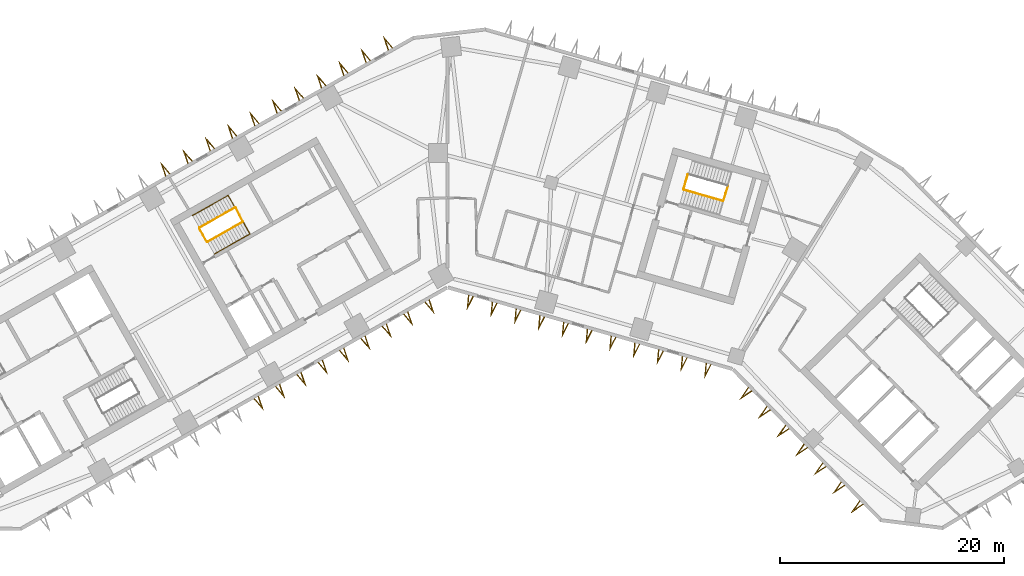
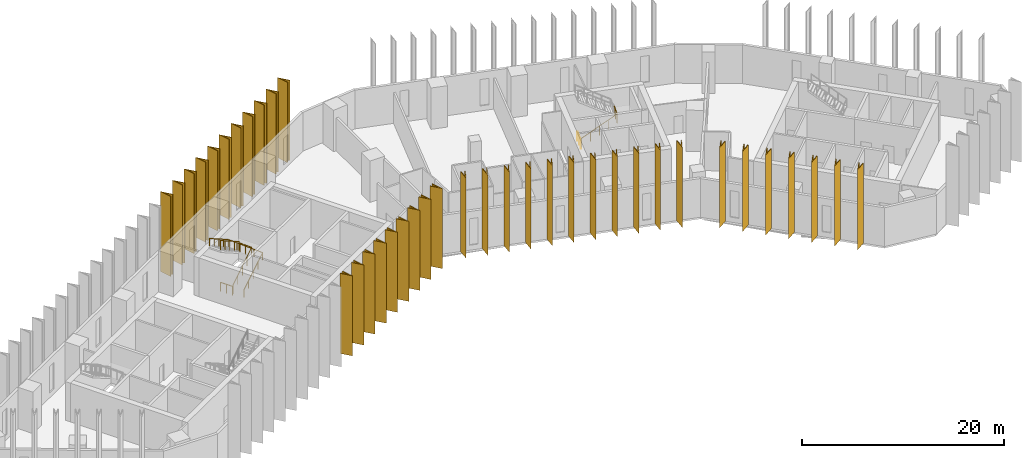
# One storey, part 10 of 11: 38 shading devices, 6 railings.
"""IFC4 building model written with IfcOpenShell, lengths in metres."""

from ifc_helpers import new_model, si_unit, direction, frame, origin, origin_2d, place, context, subcontext, project, spatial, polyline, circle, outline, extrude, material, type_object, element, save


model = new_model("IFC4")

# Units and contexts
model_context = context("Model", 3, precision=1e-05, world=origin(), true_north=direction((0.0, 1.0)))
body_context = subcontext(model_context, "Body", "Model", "MODEL_VIEW")
ifc_project = project(units=[si_unit("LENGTHUNIT", "METRE"), si_unit("AREAUNIT", "SQUARE_METRE"), si_unit("VOLUMEUNIT", "CUBIC_METRE"), si_unit("PLANEANGLEUNIT", "RADIAN"), si_unit("MASSUNIT", "GRAM", prefix="KILO")], contexts=[model_context])

# Site, building, storey
site_placement = place(None, origin())
site = spatial("IfcSite", under=ifc_project, at=site_placement, CompositionType="ELEMENT")
building_placement = place(site_placement, origin())
building = spatial("IfcBuilding", under=site, at=building_placement, Name="Binnacle Exchange Tower", CompositionType="ELEMENT")
storey_placement = place(building_placement, frame((0.0, 0.0, 76.5)))
storey = spatial("IfcBuildingStorey", under=building, at=storey_placement, Name="L15", CompositionType="ELEMENT", Elevation=76.5)

# Railings
ifc_material_1 = material(Name="Steel guard rail", Category="steel")
railing_type_1 = type_object("IfcRailingType", Name="STAIR GUARD 1100", PredefinedType="GUARDRAIL", material=ifc_material_1)
railing_1_placement = place(storey_placement, frame((-21.423828125, 52.07275390625, 0.178466796875)))
element("IfcRailing", 1, at=railing_1_placement, inside=storey, type_object=railing_type_1, Name="L15 STC1 stair guard 1", PredefinedType="GUARDRAIL", context=body_context, shape_type="SweptSolid", body=[
    extrude(circle(Radius=0.02392578125, at=origin_2d()), frame((0.0, 0.0, 1.076171875), z_axis=(0.733838880464, 0.415127627455, 0.537726278364), x_axis=(-0.492371057291, 0.870385398511, 0.0)), (0.0, 0.0, 1.0), 4.3173828125),
    extrude(circle(Radius=0.02392578125, at=origin_2d()), frame((3.168212890625, 1.792236328125, 3.3974609375), z_axis=(-0.461100321709, 0.887348011391, 0.0), x_axis=(-0.887348011391, -0.461100321709, 0.0)), (0.0, 0.0, 1.0), 1.40087890625),
    extrude(circle(Radius=0.02099609375, at=origin_2d()), origin(), (0.0, 0.0, 1.0), 1.052001953125),
    extrude(circle(Radius=0.02099609375, at=origin_2d()), frame((0.7919921875, 0.447998046875, 0.580322265625)), (0.0, 0.0, 1.0), 1.052001953125),
    extrude(circle(Radius=0.02099609375, at=origin_2d()), frame((1.583984375, 0.89599609375, 1.16064453125)), (0.0, 0.0, 1.0), 1.052001953125),
    extrude(circle(Radius=0.02099609375, at=origin_2d()), frame((2.376220703125, 1.34423828125, 1.7412109375)), (0.0, 0.0, 1.0), 1.052001953125),
    extrude(circle(Radius=0.02099609375, at=origin_2d()), frame((3.168212890625, 1.792236328125, 2.321533203125)), (0.0, 0.0, 1.0), 1.052001953125),
    extrude(circle(Radius=0.02099609375, at=origin_2d()), frame((2.84521484375, 2.413818359375, 2.321533203125)), (0.0, 0.0, 1.0), 1.052001953125),
    extrude(circle(Radius=0.02099609375, at=origin_2d()), frame((2.522216796875, 3.035400390625, 2.321533203125)), (0.0, 0.0, 1.0), 1.052001953125),
])
railing_2_placement = place(storey_placement, frame((-18.9697265625, 55.126953125, 2.678466796875)))
element("IfcRailing", 2, at=railing_2_placement, inside=storey, type_object=railing_type_1, Name="L15 STC1 stair guard 2", PredefinedType="GUARDRAIL", context=body_context, shape_type="SweptSolid", body=[
    extrude(circle(Radius=0.02392578125, at=origin_2d()), frame((0.0, 0.0, 1.076171875), z_axis=(-0.733812782489, -0.415144854829, 0.537748593457), x_axis=(0.492399802317, -0.870369137021, 0.0)), (0.0, 0.0, 1.0), 4.317138671875),
    extrude(circle(Radius=0.02099609375, at=origin_2d()), origin(), (0.0, 0.0, 1.0), 1.052001953125),
    extrude(circle(Radius=0.02099609375, at=origin_2d()), frame((-0.7919921875, -0.447998046875, 0.580322265625)), (0.0, 0.0, 1.0), 1.052001953125),
    extrude(circle(Radius=0.02099609375, at=origin_2d()), frame((-1.583984375, -0.89599609375, 1.16064453125)), (0.0, 0.0, 1.0), 1.052001953125),
    extrude(circle(Radius=0.02099609375, at=origin_2d()), frame((-2.3759765625, -1.34423828125, 1.7412109375)), (0.0, 0.0, 1.0), 1.052001953125),
    extrude(circle(Radius=0.02099609375, at=origin_2d()), frame((-3.16796875, -1.792236328125, 2.321533203125)), (0.0, 0.0, 1.0), 1.052001953125),
])
railing_3_placement = place(storey_placement, frame((-21.491943359375, 52.091552734375, 0.0)))
element("IfcRailing", 3, at=railing_3_placement, inside=storey, type_object=railing_type_1, Name="L15 STC1 stair guard 3", PredefinedType="GUARDRAIL", context=body_context, shape_type="SweptSolid", body=[
    extrude(circle(Radius=0.02392578125, at=origin_2d()), frame((0.0, 0.0, 1.076171875), z_axis=(-0.49241474071, 0.870360685654, 0.0), x_axis=(-0.870360685654, -0.49241474071, 0.0)), (0.0, 0.0, 1.0), 1.35009765625),
    extrude(circle(Radius=0.02099609375, at=origin_2d()), origin(), (0.0, 0.0, 1.0), 1.052001953125),
    extrude(circle(Radius=0.02099609375, at=origin_2d()), frame((-0.33251953125, 0.58740234375, 0.0)), (0.0, 0.0, 1.0), 1.052001953125),
    extrude(circle(Radius=0.02099609375, at=origin_2d()), frame((-0.664794921875, 1.175048828125, 0.0)), (0.0, 0.0, 1.0), 1.052001953125),
])
railing_4_placement = place(storey_placement, frame((21.086669921875, 56.71044921875, 0.178466796875)))
element("IfcRailing", 4, at=railing_4_placement, inside=storey, type_object=railing_type_1, Name="L15 STD1 stair guard 1", PredefinedType="GUARDRAIL", context=body_context, shape_type="SweptSolid", body=[
    extrude(circle(Radius=0.02392578125, at=origin_2d()), frame((0.0, 0.0, 1.076171875), z_axis=(0.810455892038, -0.232415135102, 0.537721537635), x_axis=(0.275659984683, 0.961255206927, 0.0)), (0.0, 0.0, 1.0), 4.3173828125),
    extrude(circle(Radius=0.02392578125, at=origin_2d()), frame((3.4990234375, -1.00341796875, 3.3974609375), z_axis=(0.309684985722, 0.950839213337, 0.0), x_axis=(-0.950839213337, 0.309684985722, 0.0)), (0.0, 0.0, 1.0), 1.40087890625),
    extrude(circle(Radius=0.02099609375, at=origin_2d()), origin(), (0.0, 0.0, 1.0), 1.052001953125),
    extrude(circle(Radius=0.02099609375, at=origin_2d()), frame((0.874755859375, -0.2509765625, 0.580322265625)), (0.0, 0.0, 1.0), 1.052001953125),
    extrude(circle(Radius=0.02099609375, at=origin_2d()), frame((1.74951171875, -0.501708984375, 1.16064453125)), (0.0, 0.0, 1.0), 1.052001953125),
    extrude(circle(Radius=0.02099609375, at=origin_2d()), frame((2.624267578125, -0.75244140625, 1.7412109375)), (0.0, 0.0, 1.0), 1.052001953125),
    extrude(circle(Radius=0.02099609375, at=origin_2d()), frame((3.4990234375, -1.00341796875, 2.321533203125)), (0.0, 0.0, 1.0), 1.052001953125),
    extrude(circle(Radius=0.02099609375, at=origin_2d()), frame((3.7158203125, -0.33740234375, 2.321533203125)), (0.0, 0.0, 1.0), 1.052001953125),
    extrude(circle(Radius=0.02099609375, at=origin_2d()), frame((3.932861328125, 0.32861328125, 2.321533203125)), (0.0, 0.0, 1.0), 1.052001953125),
])
railing_5_placement = place(storey_placement, frame((21.05224609375, 56.772216796875, 0.0)))
element("IfcRailing", 5, at=railing_5_placement, inside=storey, type_object=railing_type_1, Name="L15 STD1 stair guard 3", PredefinedType="GUARDRAIL", context=body_context, shape_type="SweptSolid", body=[
    extrude(circle(Radius=0.02392578125, at=origin_2d()), frame((0.0, 0.0, 1.076171875), z_axis=(0.275795817769, 0.961216243569, 0.0), x_axis=(-0.961216243569, 0.275795817769, 0.0)), (0.0, 0.0, 1.0), 1.349853515625),
    extrude(circle(Radius=0.02099609375, at=origin_2d()), origin(), (0.0, 0.0, 1.0), 1.052001953125),
    extrude(circle(Radius=0.02099609375, at=origin_2d()), frame((0.18603515625, 0.64892578125, 0.0)), (0.0, 0.0, 1.0), 1.052001953125),
    extrude(circle(Radius=0.02099609375, at=origin_2d()), frame((0.372314453125, 1.297607421875, 0.0)), (0.0, 0.0, 1.0), 1.052001953125),
])
ifc_material_2 = material(Name="Steel handrail", Category="steel")
railing_type_2 = type_object("IfcRailingType", Name="STAIR HANDRAIL 900", PredefinedType="HANDRAIL", material=ifc_material_2)
railing_6_placement = place(storey_placement, frame((-20.808349609375, 50.984619140625, 0.178466796875)))
element("IfcRailing", 6, at=railing_6_placement, inside=storey, type_object=railing_type_2, Name="L15 STC1 stair handrail 1", PredefinedType="HANDRAIL", context=body_context, shape_type="SweptSolid", body=[
    extrude(circle(Radius=0.02392578125, at=origin_2d()), frame((0.0, 0.0, 0.8759765625), z_axis=(0.733821652932, 0.415174429824, 0.537713654753), x_axis=(-0.492421866095, 0.870356654361, 0.0)), (0.0, 0.0, 1.0), 4.3173828125),
    extrude(circle(Radius=0.02392578125, at=origin_2d()), frame((3.168212890625, 1.79248046875, 3.197265625), z_axis=(-0.491911810019, 0.86947434526, 0.045134621956), x_axis=(-0.870361318571, -0.492413622004, 0.0)), (0.0, 0.0, 1.0), 3.9541015625),
    extrude(circle(Radius=0.02392578125, at=origin_2d()), frame((1.22314453125, 5.23046875, 3.3759765625), z_axis=(-0.733821652932, -0.415174429824, 0.537713654753), x_axis=(0.492421866095, -0.870356654361, 0.0)), (0.0, 0.0, 1.0), 4.3173828125),
    extrude(circle(Radius=0.02099609375, at=origin_2d()), origin(), (0.0, 0.0, 1.0), 0.851806640625),
    extrude(circle(Radius=0.02099609375, at=origin_2d()), frame((0.7919921875, 0.4482421875, 0.580322265625)), (0.0, 0.0, 1.0), 0.851806640625),
    extrude(circle(Radius=0.02099609375, at=origin_2d()), frame((1.583984375, 0.896240234375, 1.16064453125)), (0.0, 0.0, 1.0), 0.851806640625),
    extrude(circle(Radius=0.02099609375, at=origin_2d()), frame((2.376220703125, 1.34423828125, 1.7412109375)), (0.0, 0.0, 1.0), 0.851806640625),
    extrude(circle(Radius=0.02099609375, at=origin_2d()), frame((3.168212890625, 1.79248046875, 2.321533203125)), (0.0, 0.0, 1.0), 0.851806640625),
    extrude(circle(Radius=0.02099609375, at=origin_2d()), frame((2.681884765625, 2.65185546875, 2.3662109375)), (0.0, 0.0, 1.0), 0.851806640625),
    extrude(circle(Radius=0.02099609375, at=origin_2d()), frame((2.19580078125, 3.511474609375, 2.41064453125)), (0.0, 0.0, 1.0), 0.851806640625),
    extrude(circle(Radius=0.02099609375, at=origin_2d()), frame((1.70947265625, 4.37109375, 2.455322265625)), (0.0, 0.0, 1.0), 0.851806640625),
    extrude(circle(Radius=0.02099609375, at=origin_2d()), frame((1.22314453125, 5.23046875, 2.5)), (0.0, 0.0, 1.0), 0.851806640625),
    extrude(circle(Radius=0.02099609375, at=origin_2d()), frame((0.43115234375, 4.7822265625, 3.080322265625)), (0.0, 0.0, 1.0), 0.851806640625),
    extrude(circle(Radius=0.02099609375, at=origin_2d()), frame((-0.36083984375, 4.334228515625, 3.66064453125)), (0.0, 0.0, 1.0), 0.851806640625),
    extrude(circle(Radius=0.02099609375, at=origin_2d()), frame((-1.153076171875, 3.88623046875, 4.2412109375)), (0.0, 0.0, 1.0), 0.851806640625),
    extrude(circle(Radius=0.02099609375, at=origin_2d()), frame((-1.945068359375, 3.43798828125, 4.821533203125)), (0.0, 0.0, 1.0), 0.851806640625),
])

# Shading devices
ifc_material_3 = material(Name="Bronze aluminium cladding", Category="aluminium")
shading_device_type = type_object("IfcShadingDeviceType", Name="V FIN 1300 DEEP x 9680 HIGH", PredefinedType="USERDEFINED", material=ifc_material_3)
shading_device_1_placement = place(storey_placement, origin())
element("IfcShadingDevice", 7, at=shading_device_1_placement, inside=storey, type_object=shading_device_type, Name="V fin FN-F03-01 L15", ObjectType="FIN", PredefinedType="USERDEFINED", context=body_context, shape_type="SweptSolid", body=[
    extrude(outline(polyline([(-4.88916015625, 69.40625), (-5.746826171875, 70.41455078125), (-5.32421875, 69.159912109375), (-5.25341796875, 69.2001953125), (-5.5380859375, 70.0458984375), (-4.9599609375, 69.3662109375), (-4.88916015625, 69.40625)])), origin(), (0.0, 0.0, 1.0), 9.679931640625),
])
shading_device_2_placement = place(storey_placement, origin())
element("IfcShadingDevice", 8, at=shading_device_2_placement, inside=storey, type_object=shading_device_type, Name="V fin FN-F03-02 L15", ObjectType="FIN", PredefinedType="USERDEFINED", context=body_context, shape_type="SweptSolid", body=[
    extrude(outline(polyline([(-6.87548828125, 68.2822265625), (-7.7333984375, 69.290771484375), (-7.310791015625, 68.0361328125), (-7.239990234375, 68.076171875), (-7.524658203125, 68.922119140625), (-6.946533203125, 68.2421875), (-6.87548828125, 68.2822265625)])), origin(), (0.0, 0.0, 1.0), 9.679931640625),
])
shading_device_3_placement = place(storey_placement, origin())
element("IfcShadingDevice", 9, at=shading_device_3_placement, inside=storey, type_object=shading_device_type, Name="V fin FN-F03-03 L15", ObjectType="FIN", PredefinedType="USERDEFINED", context=body_context, shape_type="SweptSolid", body=[
    extrude(outline(polyline([(-8.862060546875, 67.158203125), (-9.719970703125, 68.166748046875), (-9.29736328125, 66.912109375), (-9.226318359375, 66.9521484375), (-9.51123046875, 67.798095703125), (-8.93310546875, 67.1181640625), (-8.862060546875, 67.158203125)])), origin(), (0.0, 0.0, 1.0), 9.679931640625),
])
shading_device_4_placement = place(storey_placement, origin())
element("IfcShadingDevice", 10, at=shading_device_4_placement, inside=storey, type_object=shading_device_type, Name="V fin FN-F03-04 L15", ObjectType="FIN", PredefinedType="USERDEFINED", context=body_context, shape_type="SweptSolid", body=[
    extrude(outline(polyline([(-10.8486328125, 66.034423828125), (-11.70654296875, 67.042724609375), (-11.283935546875, 65.7880859375), (-11.212890625, 65.828369140625), (-11.497802734375, 66.674072265625), (-10.919677734375, 65.994384765625), (-10.8486328125, 66.034423828125)])), origin(), (0.0, 0.0, 1.0), 9.679931640625),
])
shading_device_5_placement = place(storey_placement, origin())
element("IfcShadingDevice", 11, at=shading_device_5_placement, inside=storey, type_object=shading_device_type, Name="V fin FN-F03-05 L15", ObjectType="FIN", PredefinedType="USERDEFINED", context=body_context, shape_type="SweptSolid", body=[
    extrude(outline(polyline([(-12.835205078125, 64.910400390625), (-13.693115234375, 65.9189453125), (-13.2705078125, 64.664306640625), (-13.199462890625, 64.704345703125), (-13.484375, 65.55029296875), (-12.906005859375, 64.870361328125), (-12.835205078125, 64.910400390625)])), origin(), (0.0, 0.0, 1.0), 9.679931640625),
])
shading_device_6_placement = place(storey_placement, origin())
element("IfcShadingDevice", 12, at=shading_device_6_placement, inside=storey, type_object=shading_device_type, Name="V fin FN-F03-06 L15", ObjectType="FIN", PredefinedType="USERDEFINED", context=body_context, shape_type="SweptSolid", body=[
    extrude(outline(polyline([(-14.82177734375, 63.78662109375), (-15.6796875, 64.794921875), (-15.257080078125, 63.540283203125), (-15.18603515625, 63.580322265625), (-15.470947265625, 64.42626953125), (-14.892578125, 63.746337890625), (-14.82177734375, 63.78662109375)])), origin(), (0.0, 0.0, 1.0), 9.679931640625),
])
shading_device_7_placement = place(storey_placement, origin())
element("IfcShadingDevice", 13, at=shading_device_7_placement, inside=storey, type_object=shading_device_type, Name="V fin FN-F03-07 L15", ObjectType="FIN", PredefinedType="USERDEFINED", context=body_context, shape_type="SweptSolid", body=[
    extrude(outline(polyline([(-16.808349609375, 62.66259765625), (-17.666015625, 63.6708984375), (-17.243408203125, 62.41650390625), (-17.172607421875, 62.45654296875), (-17.45751953125, 63.30224609375), (-16.879150390625, 62.62255859375), (-16.808349609375, 62.66259765625)])), origin(), (0.0, 0.0, 1.0), 9.679931640625),
])
shading_device_8_placement = place(storey_placement, origin())
element("IfcShadingDevice", 14, at=shading_device_8_placement, inside=storey, type_object=shading_device_type, Name="V fin FN-F03-08 L15", ObjectType="FIN", PredefinedType="USERDEFINED", context=body_context, shape_type="SweptSolid", body=[
    extrude(outline(polyline([(-18.794921875, 61.53857421875), (-19.652587890625, 62.547119140625), (-19.22998046875, 61.29248046875), (-19.1591796875, 61.33251953125), (-19.444091796875, 62.17822265625), (-18.86572265625, 61.49853515625), (-18.794921875, 61.53857421875)])), origin(), (0.0, 0.0, 1.0), 9.679931640625),
])
shading_device_9_placement = place(storey_placement, origin())
element("IfcShadingDevice", 15, at=shading_device_9_placement, inside=storey, type_object=shading_device_type, Name="V fin FN-F03-09 L15", ObjectType="FIN", PredefinedType="USERDEFINED", context=body_context, shape_type="SweptSolid", body=[
    extrude(outline(polyline([(-20.781494140625, 60.414794921875), (-21.639404296875, 61.423095703125), (-21.216796875, 60.16845703125), (-21.145751953125, 60.20849609375), (-21.4306640625, 61.054443359375), (-20.852294921875, 60.37451171875), (-20.781494140625, 60.414794921875)])), origin(), (0.0, 0.0, 1.0), 9.679931640625),
])
shading_device_10_placement = place(storey_placement, origin())
element("IfcShadingDevice", 16, at=shading_device_10_placement, inside=storey, type_object=shading_device_type, Name="V fin FN-F03-10 L15", ObjectType="FIN", PredefinedType="USERDEFINED", context=body_context, shape_type="SweptSolid", body=[
    extrude(outline(polyline([(-22.76806640625, 59.290771484375), (-23.625732421875, 60.29931640625), (-23.203125, 59.044677734375), (-23.13232421875, 59.084716796875), (-23.4169921875, 59.930419921875), (-22.8388671875, 59.250732421875), (-22.76806640625, 59.290771484375)])), origin(), (0.0, 0.0, 1.0), 9.679931640625),
])
shading_device_11_placement = place(storey_placement, origin())
element("IfcShadingDevice", 17, at=shading_device_11_placement, inside=storey, type_object=shading_device_type, Name="V fin FN-F03-11 L15", ObjectType="FIN", PredefinedType="USERDEFINED", context=body_context, shape_type="SweptSolid", body=[
    extrude(outline(polyline([(-24.754638671875, 58.166748046875), (-25.6123046875, 59.17529296875), (-25.189697265625, 57.920654296875), (-25.118896484375, 57.960693359375), (-25.40380859375, 58.806396484375), (-24.825439453125, 58.126708984375), (-24.754638671875, 58.166748046875)])), origin(), (0.0, 0.0, 1.0), 9.679931640625),
])
shading_device_12_placement = place(storey_placement, origin())
element("IfcShadingDevice", 18, at=shading_device_12_placement, inside=storey, type_object=shading_device_type, Name="V fin FN-F07-11 L15", ObjectType="FIN", PredefinedType="USERDEFINED", context=body_context, shape_type="SweptSolid", body=[
    extrude(outline(polyline([(-17.28759765625, 38.046875), (-16.429931640625, 37.038330078125), (-16.8525390625, 38.29296875), (-16.92333984375, 38.2529296875), (-16.638671875, 37.406982421875), (-17.216796875, 38.0869140625), (-17.28759765625, 38.046875)])), origin(), (0.0, 0.0, 1.0), 9.679931640625),
])
shading_device_13_placement = place(storey_placement, origin())
element("IfcShadingDevice", 19, at=shading_device_13_placement, inside=storey, type_object=shading_device_type, Name="V fin FN-F07-12 L15", ObjectType="FIN", PredefinedType="USERDEFINED", context=body_context, shape_type="SweptSolid", body=[
    extrude(outline(polyline([(-15.3828125, 39.12451171875), (-14.525146484375, 38.1162109375), (-14.94775390625, 39.37060546875), (-15.0185546875, 39.33056640625), (-14.73388671875, 38.48486328125), (-15.31201171875, 39.16455078125), (-15.3828125, 39.12451171875)])), origin(), (0.0, 0.0, 1.0), 9.679931640625),
])
shading_device_14_placement = place(storey_placement, origin())
element("IfcShadingDevice", 20, at=shading_device_14_placement, inside=storey, type_object=shading_device_type, Name="V fin FN-F07-13 L15", ObjectType="FIN", PredefinedType="USERDEFINED", context=body_context, shape_type="SweptSolid", body=[
    extrude(outline(polyline([(-13.477783203125, 40.2021484375), (-12.6201171875, 39.19384765625), (-13.042724609375, 40.448486328125), (-13.113525390625, 40.408203125), (-12.828857421875, 39.5625), (-13.406982421875, 40.2421875), (-13.477783203125, 40.2021484375)])), origin(), (0.0, 0.0, 1.0), 9.679931640625),
])
shading_device_15_placement = place(storey_placement, origin())
element("IfcShadingDevice", 21, at=shading_device_15_placement, inside=storey, type_object=shading_device_type, Name="V fin FN-F07-14 L15", ObjectType="FIN", PredefinedType="USERDEFINED", context=body_context, shape_type="SweptSolid", body=[
    extrude(outline(polyline([(-11.572998046875, 41.280029296875), (-10.715087890625, 40.271484375), (-11.1376953125, 41.526123046875), (-11.208740234375, 41.486083984375), (-10.923828125, 40.640380859375), (-11.502197265625, 41.320068359375), (-11.572998046875, 41.280029296875)])), origin(), (0.0, 0.0, 1.0), 9.679931640625),
])
shading_device_16_placement = place(storey_placement, origin())
element("IfcShadingDevice", 22, at=shading_device_16_placement, inside=storey, type_object=shading_device_type, Name="V fin FN-F07-15 L15", ObjectType="FIN", PredefinedType="USERDEFINED", context=body_context, shape_type="SweptSolid", body=[
    extrude(outline(polyline([(-9.668212890625, 42.357666015625), (-8.810302734375, 41.349365234375), (-9.23291015625, 42.60400390625), (-9.303955078125, 42.563720703125), (-9.01904296875, 41.718017578125), (-9.597412109375, 42.397705078125), (-9.668212890625, 42.357666015625)])), origin(), (0.0, 0.0, 1.0), 9.679931640625),
])
shading_device_17_placement = place(storey_placement, origin())
element("IfcShadingDevice", 23, at=shading_device_17_placement, inside=storey, type_object=shading_device_type, Name="V fin FN-F07-16 L15", ObjectType="FIN", PredefinedType="USERDEFINED", context=body_context, shape_type="SweptSolid", body=[
    extrude(outline(polyline([(-7.76318359375, 43.435302734375), (-6.905517578125, 42.427001953125), (-7.327880859375, 43.681640625), (-7.39892578125, 43.6416015625), (-7.114013671875, 42.795654296875), (-7.6923828125, 43.4755859375), (-7.76318359375, 43.435302734375)])), origin(), (0.0, 0.0, 1.0), 9.679931640625),
])
shading_device_18_placement = place(storey_placement, origin())
element("IfcShadingDevice", 24, at=shading_device_18_placement, inside=storey, type_object=shading_device_type, Name="V fin FN-F07-17 L15", ObjectType="FIN", PredefinedType="USERDEFINED", context=body_context, shape_type="SweptSolid", body=[
    extrude(outline(polyline([(-5.8583984375, 44.51318359375), (-5.00048828125, 43.5048828125), (-5.423095703125, 44.759521484375), (-5.494140625, 44.71923828125), (-5.209228515625, 43.87353515625), (-5.78759765625, 44.55322265625), (-5.8583984375, 44.51318359375)])), origin(), (0.0, 0.0, 1.0), 9.679931640625),
])
shading_device_19_placement = place(storey_placement, origin())
element("IfcShadingDevice", 25, at=shading_device_19_placement, inside=storey, type_object=shading_device_type, Name="V fin FN-F07-18 L15", ObjectType="FIN", PredefinedType="USERDEFINED", context=body_context, shape_type="SweptSolid", body=[
    extrude(outline(polyline([(-3.95361328125, 45.5908203125), (-3.095703125, 44.58251953125), (-3.518310546875, 45.837158203125), (-3.589111328125, 45.797119140625), (-3.304443359375, 44.951171875), (-3.882568359375, 45.631103515625), (-3.95361328125, 45.5908203125)])), origin(), (0.0, 0.0, 1.0), 9.679931640625),
])
shading_device_20_placement = place(storey_placement, origin())
element("IfcShadingDevice", 26, at=shading_device_20_placement, inside=storey, type_object=shading_device_type, Name="V fin FN-F07-19 L15", ObjectType="FIN", PredefinedType="USERDEFINED", context=body_context, shape_type="SweptSolid", body=[
    extrude(outline(polyline([(-2.048583984375, 46.668701171875), (-1.19091796875, 45.660400390625), (-1.61328125, 46.914794921875), (-1.684326171875, 46.874755859375), (-1.3994140625, 46.029052734375), (-1.977783203125, 46.708740234375), (-2.048583984375, 46.668701171875)])), origin(), (0.0, 0.0, 1.0), 9.679931640625),
])
shading_device_21_placement = place(storey_placement, origin())
element("IfcShadingDevice", 27, at=shading_device_21_placement, inside=storey, type_object=shading_device_type, Name="V fin FN-F08-01 L15", ObjectType="FIN", PredefinedType="USERDEFINED", context=body_context, shape_type="SweptSolid", body=[
    extrude(outline(polyline([(1.837890625, 47.31689453125), (1.719970703125, 45.998291015625), (2.318603515625, 47.17919921875), (2.240234375, 47.201416015625), (1.836669921875, 46.405517578125), (1.916259765625, 47.29443359375), (1.837890625, 47.31689453125)])), origin(), (0.0, 0.0, 1.0), 9.679931640625),
])
shading_device_22_placement = place(storey_placement, origin())
element("IfcShadingDevice", 28, at=shading_device_22_placement, inside=storey, type_object=shading_device_type, Name="V fin FN-F08-02 L15", ObjectType="FIN", PredefinedType="USERDEFINED", context=body_context, shape_type="SweptSolid", body=[
    extrude(outline(polyline([(3.957763671875, 46.708984375), (3.839599609375, 45.390625), (4.438232421875, 46.5712890625), (4.360107421875, 46.59375), (3.956298828125, 45.7978515625), (4.035888671875, 46.686767578125), (3.957763671875, 46.708984375)])), origin(), (0.0, 0.0, 1.0), 9.679931640625),
])
shading_device_23_placement = place(storey_placement, origin())
element("IfcShadingDevice", 29, at=shading_device_23_placement, inside=storey, type_object=shading_device_type, Name="V fin FN-F08-03 L15", ObjectType="FIN", PredefinedType="USERDEFINED", context=body_context, shape_type="SweptSolid", body=[
    extrude(outline(polyline([(6.077392578125, 46.101318359375), (5.95947265625, 44.78271484375), (6.55810546875, 45.96337890625), (6.479736328125, 45.98583984375), (6.076171875, 45.18994140625), (6.15576171875, 46.078857421875), (6.077392578125, 46.101318359375)])), origin(), (0.0, 0.0, 1.0), 9.679931640625),
])
shading_device_24_placement = place(storey_placement, origin())
element("IfcShadingDevice", 30, at=shading_device_24_placement, inside=storey, type_object=shading_device_type, Name="V fin FN-F08-04 L15", ObjectType="FIN", PredefinedType="USERDEFINED", context=body_context, shape_type="SweptSolid", body=[
    extrude(outline(polyline([(8.197021484375, 45.493408203125), (8.0791015625, 44.175048828125), (8.677734375, 45.355712890625), (8.599365234375, 45.378173828125), (8.19580078125, 44.582275390625), (8.275390625, 45.47119140625), (8.197021484375, 45.493408203125)])), origin(), (0.0, 0.0, 1.0), 9.679931640625),
])
shading_device_25_placement = place(storey_placement, origin())
element("IfcShadingDevice", 31, at=shading_device_25_placement, inside=storey, type_object=shading_device_type, Name="V fin FN-F08-05 L15", ObjectType="FIN", PredefinedType="USERDEFINED", context=body_context, shape_type="SweptSolid", body=[
    extrude(outline(polyline([(10.316650390625, 44.8857421875), (10.19873046875, 43.567138671875), (10.79736328125, 44.747802734375), (10.718994140625, 44.770263671875), (10.3154296875, 43.974365234375), (10.39501953125, 44.86328125), (10.316650390625, 44.8857421875)])), origin(), (0.0, 0.0, 1.0), 9.679931640625),
])
shading_device_26_placement = place(storey_placement, origin())
element("IfcShadingDevice", 32, at=shading_device_26_placement, inside=storey, type_object=shading_device_type, Name="V fin FN-F08-06 L15", ObjectType="FIN", PredefinedType="USERDEFINED", context=body_context, shape_type="SweptSolid", body=[
    extrude(outline(polyline([(12.436279296875, 44.27783203125), (12.318359375, 42.95947265625), (12.9169921875, 44.14013671875), (12.838623046875, 44.16259765625), (12.43505859375, 43.36669921875), (12.5146484375, 44.255615234375), (12.436279296875, 44.27783203125)])), origin(), (0.0, 0.0, 1.0), 9.679931640625),
])
shading_device_27_placement = place(storey_placement, origin())
element("IfcShadingDevice", 33, at=shading_device_27_placement, inside=storey, type_object=shading_device_type, Name="V fin FN-F08-07 L15", ObjectType="FIN", PredefinedType="USERDEFINED", context=body_context, shape_type="SweptSolid", body=[
    extrude(outline(polyline([(14.55615234375, 43.670166015625), (14.43798828125, 42.3515625), (15.03662109375, 43.5322265625), (14.95849609375, 43.5546875), (14.5546875, 42.7587890625), (14.634521484375, 43.647705078125), (14.55615234375, 43.670166015625)])), origin(), (0.0, 0.0, 1.0), 9.679931640625),
])
shading_device_28_placement = place(storey_placement, origin())
element("IfcShadingDevice", 34, at=shading_device_28_placement, inside=storey, type_object=shading_device_type, Name="V fin FN-F08-08 L15", ObjectType="FIN", PredefinedType="USERDEFINED", context=body_context, shape_type="SweptSolid", body=[
    extrude(outline(polyline([(16.67578125, 43.062255859375), (16.557861328125, 41.743896484375), (17.156494140625, 42.924560546875), (17.078125, 42.947021484375), (16.674560546875, 42.15087890625), (16.754150390625, 43.039794921875), (16.67578125, 43.062255859375)])), origin(), (0.0, 0.0, 1.0), 9.679931640625),
])
shading_device_29_placement = place(storey_placement, origin())
element("IfcShadingDevice", 35, at=shading_device_29_placement, inside=storey, type_object=shading_device_type, Name="V fin FN-F08-09 L15", ObjectType="FIN", PredefinedType="USERDEFINED", context=body_context, shape_type="SweptSolid", body=[
    extrude(outline(polyline([(18.79541015625, 42.454345703125), (18.677490234375, 41.135986328125), (19.276123046875, 42.316650390625), (19.19775390625, 42.339111328125), (18.794189453125, 41.543212890625), (18.873779296875, 42.431884765625), (18.79541015625, 42.454345703125)])), origin(), (0.0, 0.0, 1.0), 9.679931640625),
])
shading_device_30_placement = place(storey_placement, origin())
element("IfcShadingDevice", 36, at=shading_device_30_placement, inside=storey, type_object=shading_device_type, Name="V fin FN-F08-10 L15", ObjectType="FIN", PredefinedType="USERDEFINED", context=body_context, shape_type="SweptSolid", body=[
    extrude(outline(polyline([(20.9150390625, 41.8466796875), (20.797119140625, 40.528076171875), (21.395751953125, 41.708740234375), (21.3173828125, 41.731201171875), (20.913818359375, 40.935302734375), (20.993408203125, 41.82421875), (20.9150390625, 41.8466796875)])), origin(), (0.0, 0.0, 1.0), 9.679931640625),
])
shading_device_31_placement = place(storey_placement, origin())
element("IfcShadingDevice", 37, at=shading_device_31_placement, inside=storey, type_object=shading_device_type, Name="V fin FN-F08-11 L15", ObjectType="FIN", PredefinedType="USERDEFINED", context=body_context, shape_type="SweptSolid", body=[
    extrude(outline(polyline([(23.034912109375, 41.23876953125), (22.916748046875, 39.92041015625), (23.515380859375, 41.10107421875), (23.43701171875, 41.123291015625), (23.033447265625, 40.327392578125), (23.113037109375, 41.21630859375), (23.034912109375, 41.23876953125)])), origin(), (0.0, 0.0, 1.0), 9.679931640625),
])
shading_device_32_placement = place(storey_placement, origin())
element("IfcShadingDevice", 38, at=shading_device_32_placement, inside=storey, type_object=shading_device_type, Name="V fin FN-F09-01 L15", ObjectType="FIN", PredefinedType="USERDEFINED", context=body_context, shape_type="SweptSolid", body=[
    extrude(outline(polyline([(26.810791015625, 39.093505859375), (26.05859375, 38.00390625), (27.1611328125, 38.73681640625), (27.10400390625, 38.794921875), (26.36083984375, 38.30078125), (26.867919921875, 39.035400390625), (26.810791015625, 39.093505859375)])), origin(), (0.0, 0.0, 1.0), 9.679931640625),
])
shading_device_33_placement = place(storey_placement, origin())
element("IfcShadingDevice", 39, at=shading_device_33_placement, inside=storey, type_object=shading_device_type, Name="V fin FN-F09-02 L15", ObjectType="FIN", PredefinedType="USERDEFINED", context=body_context, shape_type="SweptSolid", body=[
    extrude(outline(polyline([(28.467529296875, 37.407470703125), (27.715576171875, 36.31787109375), (28.818115234375, 37.05078125), (28.760986328125, 37.10888671875), (28.017578125, 36.61474609375), (28.524658203125, 37.349365234375), (28.467529296875, 37.407470703125)])), origin(), (0.0, 0.0, 1.0), 9.679931640625),
])
shading_device_34_placement = place(storey_placement, origin())
element("IfcShadingDevice", 40, at=shading_device_34_placement, inside=storey, type_object=shading_device_type, Name="V fin FN-F09-03 L15", ObjectType="FIN", PredefinedType="USERDEFINED", context=body_context, shape_type="SweptSolid", body=[
    extrude(outline(polyline([(30.12451171875, 35.721435546875), (29.372314453125, 34.632080078125), (30.474853515625, 35.364990234375), (30.417724609375, 35.423095703125), (29.674560546875, 34.928955078125), (30.181396484375, 35.663330078125), (30.12451171875, 35.721435546875)])), origin(), (0.0, 0.0, 1.0), 9.679931640625),
])
shading_device_35_placement = place(storey_placement, origin())
element("IfcShadingDevice", 41, at=shading_device_35_placement, inside=storey, type_object=shading_device_type, Name="V fin FN-F09-04 L15", ObjectType="FIN", PredefinedType="USERDEFINED", context=body_context, shape_type="SweptSolid", body=[
    extrude(outline(polyline([(31.78125, 34.035400390625), (31.029296875, 32.94580078125), (32.131591796875, 33.6787109375), (32.07470703125, 33.73681640625), (31.331298828125, 33.242919921875), (31.83837890625, 33.977294921875), (31.78125, 34.035400390625)])), origin(), (0.0, 0.0, 1.0), 9.679931640625),
])
shading_device_36_placement = place(storey_placement, origin())
element("IfcShadingDevice", 42, at=shading_device_36_placement, inside=storey, type_object=shading_device_type, Name="V fin FN-F09-05 L15", ObjectType="FIN", PredefinedType="USERDEFINED", context=body_context, shape_type="SweptSolid", body=[
    extrude(outline(polyline([(33.43798828125, 32.349365234375), (32.68603515625, 31.260009765625), (33.78857421875, 31.992919921875), (33.7314453125, 32.05078125), (32.98828125, 31.556884765625), (33.4951171875, 32.291259765625), (33.43798828125, 32.349365234375)])), origin(), (0.0, 0.0, 1.0), 9.679931640625),
])
shading_device_37_placement = place(storey_placement, origin())
element("IfcShadingDevice", 43, at=shading_device_37_placement, inside=storey, type_object=shading_device_type, Name="V fin FN-F09-06 L15", ObjectType="FIN", PredefinedType="USERDEFINED", context=body_context, shape_type="SweptSolid", body=[
    extrude(outline(polyline([(35.094970703125, 30.663330078125), (34.343017578125, 29.573974609375), (35.4453125, 30.306884765625), (35.38818359375, 30.364990234375), (34.64501953125, 29.870849609375), (35.152099609375, 30.605224609375), (35.094970703125, 30.663330078125)])), origin(), (0.0, 0.0, 1.0), 9.679931640625),
])
shading_device_38_placement = place(storey_placement, origin())
element("IfcShadingDevice", 44, at=shading_device_38_placement, inside=storey, type_object=shading_device_type, Name="V fin FN-F09-07 L15", ObjectType="FIN", PredefinedType="USERDEFINED", context=body_context, shape_type="SweptSolid", body=[
    extrude(outline(polyline([(36.751708984375, 28.977294921875), (35.999755859375, 27.887939453125), (37.102294921875, 28.620849609375), (37.045166015625, 28.678955078125), (36.302001953125, 28.184814453125), (36.808837890625, 28.919189453125), (36.751708984375, 28.977294921875)])), origin(), (0.0, 0.0, 1.0), 9.679931640625),
])

save(model, "model.ifc")
